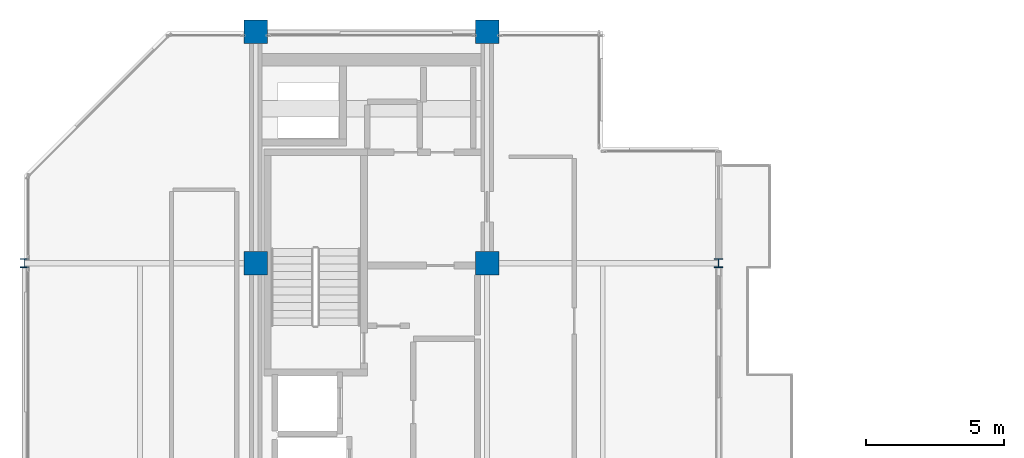
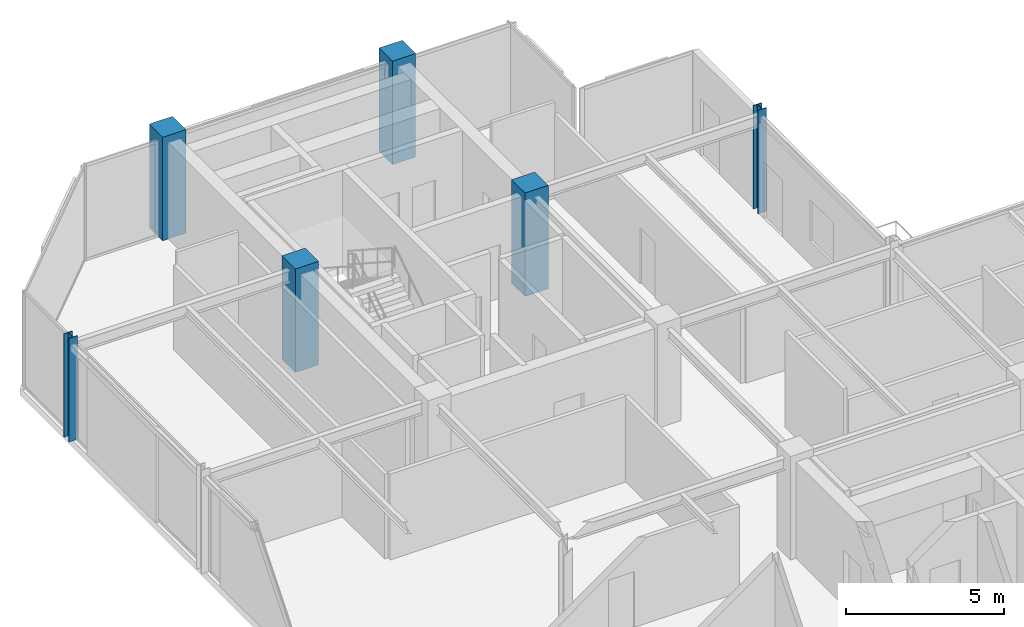
# One storey, part 2 of 26: 6 columns.
"""IFC4 building model written with IfcOpenShell, lengths in metres."""

from ifc_helpers import new_model, si_unit, direction, frame, origin, origin_2d, place, context, subcontext, project, spatial, rectangle, i_section, extrude, material, material_profile, profile_set, type_object, element, save


model = new_model("IFC4")

# Units and contexts
model_context = context("Model", 3, precision=1e-05, world=origin(), true_north=direction((0.0, 1.0)))
body_context = subcontext(model_context, "Body", "Model", "MODEL_VIEW")
ifc_project = project(units=[si_unit("LENGTHUNIT", "METRE"), si_unit("AREAUNIT", "SQUARE_METRE"), si_unit("VOLUMEUNIT", "CUBIC_METRE"), si_unit("PLANEANGLEUNIT", "RADIAN"), si_unit("MASSUNIT", "GRAM", prefix="KILO")], contexts=[model_context])

# Site, building, storey
site_placement = place(None, origin())
site = spatial("IfcSite", under=ifc_project, at=site_placement, CompositionType="ELEMENT")
building_placement = place(site_placement, origin())
building = spatial("IfcBuilding", under=site, at=building_placement, Name="Nerrivon Quay Data Exchange", CompositionType="ELEMENT")
storey_placement = place(building_placement, frame((0.0, 0.0, 270.199951171875)))
storey = spatial("IfcBuildingStorey", under=building, at=storey_placement, Name="L64", CompositionType="ELEMENT", Elevation=270.199951171875)

# Columns
ifc_material_1 = material(Name="Concrete N50 (50 MPa)", Category="concrete")
ifc_material_profile_1 = material_profile(ifc_material_1, rectangle(XDim=0.85009765625, YDim=0.85009765625, at=origin_2d()), Name="RC-COL-850x850")
ifc_profile_set_1 = profile_set([ifc_material_profile_1], Name="Concrete N50 (50 MPa)")
column_type_1 = type_object("IfcColumnType", Name="COL-C5-850", PredefinedType="COLUMN", material=ifc_profile_set_1)
for number, where, z_axis, x_axis, name in (
    (1, (8.39990234375, 33.60009765625, 0.0), (0.0, 0.0, 1.0), (1.0, 0.0, 0.0), "L64 Column (8.4,33.6)"),
    (2, (8.39990234375, 42.0, 0.0), (0.0, 0.0, 1.0), (1.0, 0.0, 0.0), "L64 Column (8.4,42.0)"),
    (3, (16.800048828125, 33.60009765625, 0.0), (0.0, 0.0, 1.0), (1.0, 0.0, 0.0), "L64 Column (16.8,33.6)"),
    (4, (16.800048828125, 42.0, 0.0), (0.0, 0.0, 1.0), (1.0, 0.0, 0.0), "L64 Column (16.8,42.0)"),
):
    element("IfcColumn", number, at=place(storey_placement, frame(where, z_axis=z_axis, x_axis=x_axis)), inside=storey, type_object=column_type_1, Name=name, PredefinedType="COLUMN", context=body_context, shape_type="SweptSolid", body=[
        extrude(rectangle(XDim=0.85009765625, YDim=0.85009765625, at=origin_2d()), origin(), (0.0, 0.0, 1.0), 4.0),
    ])
ifc_material_2 = material(Name="Steel Grade 350", Category="steel")
ifc_material_profile_2 = material_profile(ifc_material_2, i_section(OverallWidth=0.31103515625, OverallDepth=0.326904296875, WebThickness=0.015625, FlangeThickness=0.02490234375, FilletRadius=0.0166015625, at=origin_2d()), Name="310UC158")
ifc_profile_set_2 = profile_set([ifc_material_profile_2], Name="Steel Grade 350")
column_type_2 = type_object("IfcColumnType", Name="COL-SC4-310UC158", PredefinedType="COLUMN", material=ifc_profile_set_2)
for number, where, z_axis, x_axis, name in (
    (5, (0.0, 33.60009765625, 0.0), (0.0, 0.0, 1.0), (1.0, 0.0, 0.0), "L64 Column (0.0,33.6)"),
    (6, (25.199951171875, 33.60009765625, 0.0), (0.0, 0.0, 1.0), (1.0, 0.0, 0.0), "L64 Column (25.2,33.6)"),
):
    element("IfcColumn", number, at=place(storey_placement, frame(where, z_axis=z_axis, x_axis=x_axis)), inside=storey, type_object=column_type_2, Name=name, PredefinedType="COLUMN", context=body_context, shape_type="SweptSolid", body=[
        extrude(i_section(OverallWidth=0.31103515625, OverallDepth=0.326904296875, WebThickness=0.015625, FlangeThickness=0.02490234375, FilletRadius=0.0166015625, at=origin_2d()), origin(), (0.0, 0.0, 1.0), 4.0),
    ])

save(model, "model.ifc")
